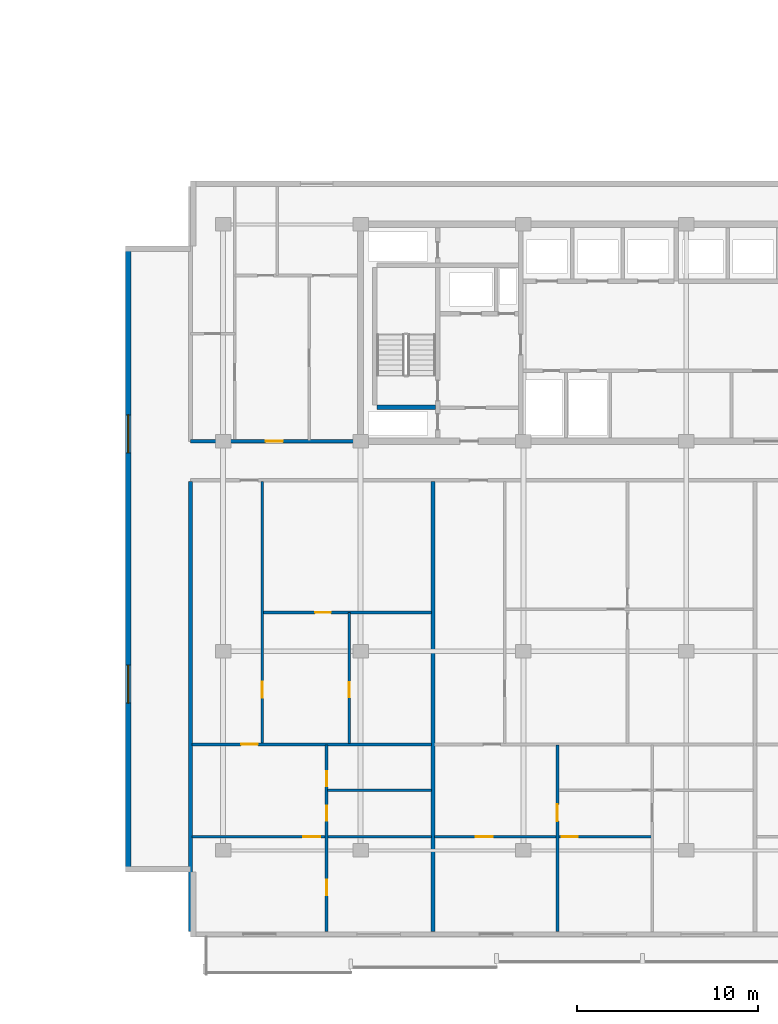
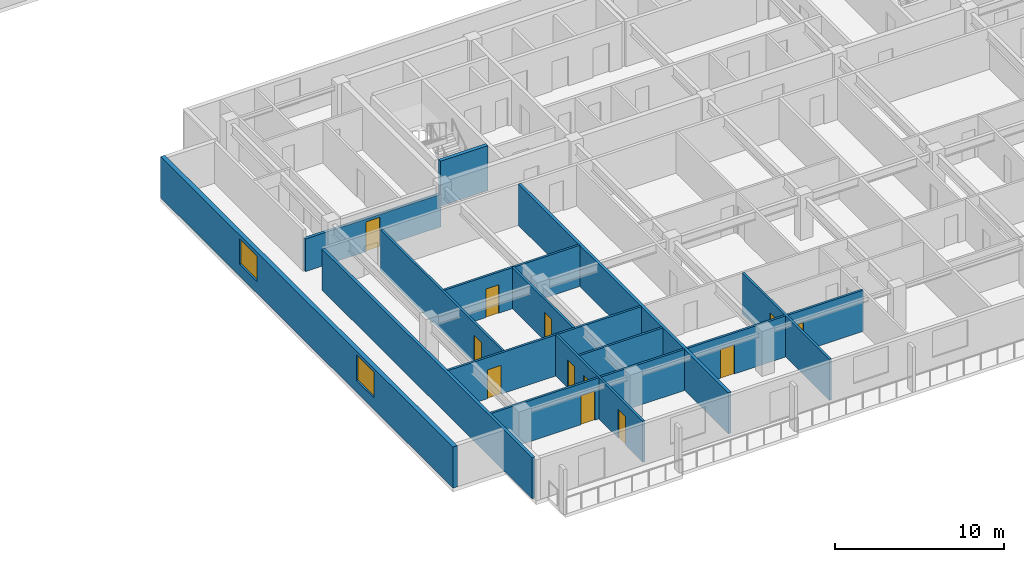
# One storey, part 4 of 22: 14 walls, 12 doors, 2 windows, 14 openings.
"""IFC4 building model written with IfcOpenShell, lengths in metres."""

from ifc_helpers import new_model, si_unit, direction, frame, frame_2d, origin, place, context, subcontext, project, spatial, rectangle, extrude, material, layer, layer_set, type_object, element, fill, save


model = new_model("IFC4")

# Units and contexts
model_context = context("Model", 3, precision=1e-05, world=origin(), true_north=direction((0.0, 1.0)))
body_context = subcontext(model_context, "Body", "Model", "MODEL_VIEW")
ifc_project = project(units=[si_unit("LENGTHUNIT", "METRE"), si_unit("AREAUNIT", "SQUARE_METRE"), si_unit("VOLUMEUNIT", "CUBIC_METRE"), si_unit("PLANEANGLEUNIT", "RADIAN"), si_unit("MASSUNIT", "GRAM", prefix="KILO")], contexts=[model_context])

# Site, building, storey
site_placement = place(None, origin())
site = spatial("IfcSite", under=ifc_project, at=site_placement, CompositionType="ELEMENT")
building_placement = place(site_placement, origin())
building = spatial("IfcBuilding", under=site, at=building_placement, Name="Korimba Cascade Residences", CompositionType="ELEMENT")
storey_placement = place(building_placement, frame((0.0, 0.0, 84.050048828125)))
storey = spatial("IfcBuildingStorey", under=building, at=storey_placement, Name="L23", CompositionType="ELEMENT", Elevation=84.050048828125)

# Wall, openings, windows
ifc_material_1 = material(Name="Precast concrete C40/50", Category="concrete")
ifc_layer_1 = layer(ifc_material_1, 0.300048828125)
ifc_layer_set_1 = layer_set([ifc_layer_1], Name="Precast concrete C40/50")
wall_type_1 = type_object("IfcWallType", Name="EW-STONE-300", PredefinedType="STANDARD", material=ifc_layer_set_1)
wall_1_placement = place(storey_placement, frame((69.25, 29.199951171875, 0.0), z_axis=(0.0, 0.0, 1.0), x_axis=(0.0, -1.0, 0.0)))
wall_1 = element("IfcWall", 1, at=wall_1_placement, inside=storey, type_object=wall_type_1, Name="L23 T2 Perimeter Stone Wall E09", PredefinedType="STANDARD", context=body_context, shape_type="SweptSolid", body=[
    extrude(rectangle(XDim=34.599853515625, YDim=0.300048828125, at=frame_2d((17.2998046875, 0.0))), origin(), (0.0, 0.0, 1.0), 2.969970703125),
])
opening_1_placement = place(wall_1_placement, frame((9.330078125, 0.0, 0.85009765625)))
opening_1 = element("IfcOpeningElement", 2, at=opening_1_placement, cuts=wall_1, Name="Opening W-03", PredefinedType="OPENING", context=body_context, shape_type="SweptSolid", body=[
    extrude(rectangle(XDim=2.10009765625, YDim=1.85009765625, at=frame_2d((1.050048828125, 0.925048828125))), frame((0.0, 0.16015625, 0.0), z_axis=(0.0, -1.0, 0.0), x_axis=(1.0, 0.0, 0.0)), (0.0, 0.0, 1.0), 0.320068359375),
])
opening_2_placement = place(wall_1_placement, frame((23.169921875, 0.0, 0.85009765625)))
opening_2 = element("IfcOpeningElement", 3, at=opening_2_placement, cuts=wall_1, Name="Opening W-03", PredefinedType="OPENING", context=body_context, shape_type="SweptSolid", body=[
    extrude(rectangle(XDim=2.10009765625, YDim=1.85009765625, at=frame_2d((1.050048828125, 0.925048828125))), frame((0.0, 0.16015625, 0.0), z_axis=(0.0, -1.0, 0.0), x_axis=(1.0, 0.0, 0.0)), (0.0, 0.0, 1.0), 0.320068359375),
])
ifc_material_2 = material(Name="Double-Glazed Aluminium Window", Category="aluminium")
window_type = type_object("IfcWindowType", Name="WIN-CRN-2100", PartitioningType="DOUBLE_PANEL_HORIZONTAL", PredefinedType="WINDOW", material=ifc_material_2)
window_1_placement = place(opening_1_placement, origin())
window_1 = element("IfcWindow", 4, at=window_1_placement, inside=storey, type_object=window_type, Name="L23 T2 End View Window 9.1", OverallHeight=1.85009765625, OverallWidth=2.10009765625, PartitioningType="DOUBLE_PANEL_HORIZONTAL", PredefinedType="WINDOW", context=body_context, shape_type="SweptSolid", body=[
    extrude(rectangle(XDim=2.10009765625, YDim=1.85009765625, at=frame_2d((1.050048828125, 0.925048828125))), frame((0.0, 0.030029296875, 0.0), z_axis=(0.0, -1.0, 0.0), x_axis=(1.0, 0.0, 0.0)), (0.0, 0.0, 1.0), 0.06005859375),
])
fill(opening_1, window_1)
window_2_placement = place(opening_2_placement, origin())
window_2 = element("IfcWindow", 5, at=window_2_placement, inside=storey, type_object=window_type, Name="L23 T2 End View Window 9.2", OverallHeight=1.85009765625, OverallWidth=2.10009765625, PartitioningType="DOUBLE_PANEL_HORIZONTAL", PredefinedType="WINDOW", context=body_context, shape_type="SweptSolid", body=[
    extrude(rectangle(XDim=2.10009765625, YDim=1.85009765625, at=frame_2d((1.050048828125, 0.925048828125))), frame((0.0, 0.030029296875, 0.0), z_axis=(0.0, -1.0, 0.0), x_axis=(1.0, 0.0, 0.0)), (0.0, 0.0, 1.0), 0.06005859375),
])
fill(opening_2, window_2)

# Wall, opening, door
ifc_layer_2 = layer(ifc_material_1, 0.199951171875)
ifc_layer_set_2 = layer_set([ifc_layer_2], Name="Precast concrete C40/50")
wall_type_2 = type_object("IfcWallType", Name="WAL-IT-200", PredefinedType="PARTITIONING", material=ifc_layer_set_2)
wall_2_placement = place(storey_placement, frame((72.699951171875, 18.39990234375, 0.0), z_axis=(0.0, 0.0, 1.0), x_axis=(1.0, 0.0, 0.0)))
wall_2 = element("IfcWall", 6, at=wall_2_placement, inside=storey, type_object=wall_type_2, Name="L23 Partition Wall WAL-L23-T2-FW-S", PredefinedType="PARTITIONING", context=body_context, shape_type="SweptSolid", body=[
    extrude(rectangle(XDim=9.25, YDim=0.199951171875, at=frame_2d((4.625, 0.0))), origin(), (0.0, 0.0, 1.0), 2.357666015625),
])
opening_3_placement = place(wall_2_placement, frame((4.14990234375, 0.0, 0.0)))
opening_3 = element("IfcOpeningElement", 7, at=opening_3_placement, cuts=wall_2, Name="Opening D-UN1", PredefinedType="OPENING", context=body_context, shape_type="SweptSolid", body=[
    extrude(rectangle(XDim=0.949951171875, YDim=2.14990234375, at=frame_2d((0.47509765625, 1.074951171875))), frame((0.0, 0.10986328125, 0.0), z_axis=(0.0, -1.0, 0.0), x_axis=(1.0, 0.0, 0.0)), (0.0, 0.0, 1.0), 0.219970703125),
])
ifc_material_3 = material(Name="Fire-Rated Hardwood Apartment Entrance Door", Category="wood")
door_type_1 = type_object("IfcDoorType", Name="DR-FD60-950", OperationType="NOTDEFINED", PredefinedType="DOOR", material=ifc_material_3)
door_1_placement = place(opening_3_placement, origin())
door_1 = element("IfcDoor", 8, at=door_1_placement, inside=storey, type_object=door_type_1, Name="L23-T2-FW Entrance Door", OperationType="SINGLE_SWING_LEFT", OverallHeight=2.14990234375, OverallWidth=0.949951171875, PredefinedType="DOOR", context=body_context, shape_type="SweptSolid", body=[
    extrude(rectangle(XDim=0.949951171875, YDim=2.14990234375, at=frame_2d((0.47509765625, 1.074951171875))), frame((0.0, 0.02490234375, 0.0), z_axis=(0.0, -1.0, 0.0), x_axis=(1.0, 0.0, 0.0)), (0.0, 0.0, 1.0), 0.050048828125),
])
fill(opening_3, door_1)

# Walls
for number, where, z_axis, x_axis, name in (
    (9, (72.699951171875, -8.699951171875, 0.0), (0.0, 0.0, 1.0), (0.0, 1.0, 0.0), "L23 Partition Wall WAL-L23-T2-BNDWL"),
    (10, (86.10009765625, -8.699951171875, 0.0), (0.0, 0.0, 1.0), (0.0, 1.0, 0.0), "L23 Partition Wall WAL-L23-T2-DEM-1"),
):
    element("IfcWall", number, at=place(storey_placement, frame(where, z_axis=z_axis, x_axis=x_axis)), inside=storey, type_object=wall_type_2, Name=name, PredefinedType="PARTITIONING", context=body_context, shape_type="SweptSolid", body=[
        extrude(rectangle(XDim=24.869873046875, YDim=0.199951171875, at=frame_2d((12.43505859375, 0.0))), origin(), (0.0, 0.0, 1.0), 2.969970703125),
    ])

# Wall, opening, door
ifc_material_4 = material(Name="Insulated Acoustic Stud Partition", Category="gypsum")
ifc_layer_3 = layer(ifc_material_4, 0.14990234375)
ifc_layer_set_3 = layer_set([ifc_layer_3], Name="Insulated Acoustic Stud Partition")
wall_type_3 = type_object("IfcWallType", Name="WAL-PART-150", PredefinedType="PARTITIONING", material=ifc_layer_set_3)
wall_3_placement = place(storey_placement, frame((81.47509765625, 1.68994140625, 0.0), z_axis=(0.0, 0.0, 1.0), x_axis=(0.0, 1.0, 0.0)))
wall_3 = element("IfcWall", 11, at=wall_3_placement, inside=storey, type_object=wall_type_3, Name="L23 Partition Wall WAL-L23-T2-U01-FMV", PredefinedType="PARTITIONING", context=body_context, shape_type="SweptSolid", body=[
    extrude(rectangle(XDim=7.25, YDim=0.14990234375, at=frame_2d((3.625, 0.0))), origin(), (0.0, 0.0, 1.0), 2.969970703125),
])
opening_4_placement = place(wall_3_placement, frame((2.557861328125, 0.0, 0.0)))
opening_4 = element("IfcOpeningElement", 12, at=opening_4_placement, cuts=wall_3, Name="Opening D-BT1", PredefinedType="OPENING", context=body_context, shape_type="SweptSolid", body=[
    extrude(rectangle(XDim=0.840087890625, YDim=2.0400390625, at=frame_2d((0.419921875, 1.02001953125))), frame((0.0, 0.0849609375, 0.0), z_axis=(0.0, -1.0, 0.0), x_axis=(1.0, 0.0, 0.0)), (0.0, 0.0, 1.0), 0.169921875),
])
ifc_material_5 = material(Name="Moisture-Resistant Bathroom Timber Door", Category="wood")
door_type_2 = type_object("IfcDoorType", Name="DR-INT-850", OperationType="NOTDEFINED", PredefinedType="DOOR", material=ifc_material_5)
door_2_placement = place(opening_4_placement, origin())
door_2 = element("IfcDoor", 13, at=door_2_placement, inside=storey, type_object=door_type_2, Name="L23-T2-U01 Wardrobe Door", OperationType="SINGLE_SWING_RIGHT", OverallHeight=2.0400390625, OverallWidth=0.840087890625, PredefinedType="DOOR", context=body_context, shape_type="SweptSolid", body=[
    extrude(rectangle(XDim=0.840087890625, YDim=2.0400390625, at=frame_2d((0.419921875, 1.02001953125))), frame((0.0, 0.02490234375, 0.0), z_axis=(0.0, -1.0, 0.0), x_axis=(1.0, 0.0, 0.0)), (0.0, 0.0, 1.0), 0.050048828125),
])
fill(opening_4, door_2)

wall_4_placement = place(storey_placement, frame((76.72998046875, 8.93994140625, 0.0), z_axis=(0.0, 0.0, 1.0), x_axis=(1.0, 0.0, 0.0)))
wall_4 = element("IfcWall", 14, at=wall_4_placement, inside=storey, type_object=wall_type_3, Name="L23 Partition Wall WAL-L23-T2-U01-FMH", PredefinedType="PARTITIONING", context=body_context, shape_type="SweptSolid", body=[
    extrude(rectangle(XDim=9.2900390625, YDim=0.14990234375, at=frame_2d((4.64501953125, 0.0))), origin(), (0.0, 0.0, 1.0), 2.969970703125),
])
opening_5_placement = place(wall_4_placement, frame((2.854248046875, 0.0, 0.0)))
opening_5 = element("IfcOpeningElement", 15, at=opening_5_placement, cuts=wall_4, Name="Opening D-IN2", PredefinedType="OPENING", context=body_context, shape_type="SweptSolid", body=[
    extrude(rectangle(XDim=0.8798828125, YDim=2.06005859375, at=frame_2d((0.43994140625, 1.030029296875))), frame((0.0, 0.0849609375, 0.0), z_axis=(0.0, -1.0, 0.0), x_axis=(1.0, 0.0, 0.0)), (0.0, 0.0, 1.0), 0.169921875),
])
ifc_material_6 = material(Name="Acoustic Timber Bedroom Door", Category="wood")
door_type_3 = type_object("IfcDoorType", Name="DR-INT-880", OperationType="NOTDEFINED", PredefinedType="DOOR", material=ifc_material_6)
door_3_placement = place(opening_5_placement, origin())
door_3 = element("IfcDoor", 16, at=door_3_placement, inside=storey, type_object=door_type_3, Name="L23-T2-U01 Library Salon Door", OperationType="SINGLE_SWING_LEFT", OverallHeight=2.06005859375, OverallWidth=0.8798828125, PredefinedType="DOOR", context=body_context, shape_type="SweptSolid", body=[
    extrude(rectangle(XDim=0.8798828125, YDim=2.06005859375, at=frame_2d((0.43994140625, 1.030029296875))), frame((0.0, 0.02490234375, 0.0), z_axis=(0.0, -1.0, 0.0), x_axis=(1.0, 0.0, 0.0)), (0.0, 0.0, 1.0), 0.050048828125),
])
fill(opening_5, door_3)

wall_5_placement = place(storey_placement, frame((76.669921875, 1.68994140625, 0.0), z_axis=(0.0, 0.0, 1.0), x_axis=(0.0, 1.0, 0.0)))
wall_5 = element("IfcWall", 17, at=wall_5_placement, inside=storey, type_object=wall_type_3, Name="L23 Partition Wall WAL-L23-T2-U01-FV", PredefinedType="PARTITIONING", context=body_context, shape_type="SweptSolid", body=[
    extrude(rectangle(XDim=14.5, YDim=0.14990234375, at=frame_2d((7.25, 0.0))), origin(), (0.0, 0.0, 1.0), 2.969970703125),
])
opening_6_placement = place(wall_5_placement, frame((2.54248046875, 0.0, 0.0)))
opening_6 = element("IfcOpeningElement", 18, at=opening_6_placement, cuts=wall_5, Name="Opening D-IN2", PredefinedType="OPENING", context=body_context, shape_type="SweptSolid", body=[
    extrude(rectangle(XDim=0.8798828125, YDim=2.06005859375, at=frame_2d((0.43994140625, 1.030029296875))), frame((0.0, 0.0849609375, 0.0), z_axis=(0.0, -1.0, 0.0), x_axis=(1.0, 0.0, 0.0)), (0.0, 0.0, 1.0), 0.169921875),
])
door_4_placement = place(opening_6_placement, origin())
door_4 = element("IfcDoor", 19, at=door_4_placement, inside=storey, type_object=door_type_3, Name="L23-T2-U01 Media Lounge Door", OperationType="SINGLE_SWING_RIGHT", OverallHeight=2.06005859375, OverallWidth=0.8798828125, PredefinedType="DOOR", context=body_context, shape_type="SweptSolid", body=[
    extrude(rectangle(XDim=0.8798828125, YDim=2.06005859375, at=frame_2d((0.43994140625, 1.030029296875))), frame((0.0, 0.02490234375, 0.0), z_axis=(0.0, -1.0, 0.0), x_axis=(1.0, 0.0, 0.0)), (0.0, 0.0, 1.0), 0.050048828125),
])
fill(opening_6, door_4)

# Wall
wall_6_placement = place(storey_placement, frame((80.280029296875, -0.889892578125, 0.0), z_axis=(0.0, 0.0, 1.0), x_axis=(1.0, 0.0, 0.0)))
element("IfcWall", 20, at=wall_6_placement, inside=storey, type_object=wall_type_3, Name="L23 Partition Wall WAL-L23-T2-U01-BLDIV", PredefinedType="PARTITIONING", context=body_context, shape_type="SweptSolid", body=[
    extrude(rectangle(XDim=5.739990234375, YDim=0.14990234375, at=frame_2d((2.8701171875, 0.0))), origin(), (0.0, 0.0, 1.0), 2.969970703125),
])

# Wall, openings, doors
wall_7_placement = place(storey_placement, frame((80.219970703125, -8.699951171875, 0.0), z_axis=(0.0, 0.0, 1.0), x_axis=(0.0, 1.0, 0.0)))
wall_7 = element("IfcWall", 21, at=wall_7_placement, inside=storey, type_object=wall_type_3, Name="L23 Partition Wall WAL-L23-T2-U01-V1", PredefinedType="PARTITIONING", context=body_context, shape_type="SweptSolid", body=[
    extrude(rectangle(XDim=10.31005859375, YDim=0.14990234375, at=frame_2d((5.155029296875, 0.0))), origin(), (0.0, 0.0, 1.0), 2.969970703125),
])
opening_7_placement = place(wall_7_placement, frame((6.120361328125, 0.0, 0.0)))
opening_7 = element("IfcOpeningElement", 22, at=opening_7_placement, cuts=wall_7, Name="Opening D-BT1", PredefinedType="OPENING", context=body_context, shape_type="SweptSolid", body=[
    extrude(rectangle(XDim=0.840087890625, YDim=2.0400390625, at=frame_2d((0.419921875, 1.02001953125))), frame((0.0, 0.0849609375, 0.0), z_axis=(0.0, -1.0, 0.0), x_axis=(1.0, 0.0, 0.0)), (0.0, 0.0, 1.0), 0.169921875),
])
opening_8_placement = place(wall_7_placement, frame((8.03955078125, 0.0, 0.0)))
opening_8 = element("IfcOpeningElement", 23, at=opening_8_placement, cuts=wall_7, Name="Opening D-BT1", PredefinedType="OPENING", context=body_context, shape_type="SweptSolid", body=[
    extrude(rectangle(XDim=0.840087890625, YDim=2.0400390625, at=frame_2d((0.419921875, 1.02001953125))), frame((0.0, 0.0849609375, 0.0), z_axis=(0.0, -1.0, 0.0), x_axis=(1.0, 0.0, 0.0)), (0.0, 0.0, 1.0), 0.169921875),
])
opening_9_placement = place(wall_7_placement, frame((2.001220703125, 0.0, 0.0)))
opening_9 = element("IfcOpeningElement", 24, at=opening_9_placement, cuts=wall_7, Name="Opening D-IN2", PredefinedType="OPENING", context=body_context, shape_type="SweptSolid", body=[
    extrude(rectangle(XDim=0.8798828125, YDim=2.06005859375, at=frame_2d((0.43994140625, 1.030029296875))), frame((0.0, 0.0849609375, 0.0), z_axis=(0.0, -1.0, 0.0), x_axis=(1.0, 0.0, 0.0)), (0.0, 0.0, 1.0), 0.169921875),
])
door_5_placement = place(opening_7_placement, origin())
door_5 = element("IfcDoor", 25, at=door_5_placement, inside=storey, type_object=door_type_2, Name="L23-T2-U01 Bathroom Door", OperationType="SINGLE_SWING_LEFT", OverallHeight=2.0400390625, OverallWidth=0.840087890625, PredefinedType="DOOR", context=body_context, shape_type="SweptSolid", body=[
    extrude(rectangle(XDim=0.840087890625, YDim=2.0400390625, at=frame_2d((0.419921875, 1.02001953125))), frame((0.0, 0.02490234375, 0.0), z_axis=(0.0, -1.0, 0.0), x_axis=(1.0, 0.0, 0.0)), (0.0, 0.0, 1.0), 0.050048828125),
])
fill(opening_7, door_5)
door_6_placement = place(opening_8_placement, origin())
door_6 = element("IfcDoor", 26, at=door_6_placement, inside=storey, type_object=door_type_2, Name="L23-T2-U01 Laundry Door", OperationType="SINGLE_SWING_RIGHT", OverallHeight=2.0400390625, OverallWidth=0.840087890625, PredefinedType="DOOR", context=body_context, shape_type="SweptSolid", body=[
    extrude(rectangle(XDim=0.840087890625, YDim=2.0400390625, at=frame_2d((0.419921875, 1.02001953125))), frame((0.0, 0.02490234375, 0.0), z_axis=(0.0, -1.0, 0.0), x_axis=(1.0, 0.0, 0.0)), (0.0, 0.0, 1.0), 0.050048828125),
])
fill(opening_8, door_6)
door_7_placement = place(opening_9_placement, origin())
door_7 = element("IfcDoor", 27, at=door_7_placement, inside=storey, type_object=door_type_3, Name="L23-T2-U01 Bedroom 1 Door", OperationType="SINGLE_SWING_LEFT", OverallHeight=2.06005859375, OverallWidth=0.8798828125, PredefinedType="DOOR", context=body_context, shape_type="SweptSolid", body=[
    extrude(rectangle(XDim=0.8798828125, YDim=2.06005859375, at=frame_2d((0.43994140625, 1.030029296875))), frame((0.0, 0.02490234375, 0.0), z_axis=(0.0, -1.0, 0.0), x_axis=(1.0, 0.0, 0.0)), (0.0, 0.0, 1.0), 0.050048828125),
])
fill(opening_9, door_7)

# Wall, opening, door
wall_8_placement = place(storey_placement, frame((72.780029296875, 1.64990234375, 0.0), z_axis=(0.0, 0.0, 1.0), x_axis=(1.0, 0.0, 0.0)))
wall_8 = element("IfcWall", 28, at=wall_8_placement, inside=storey, type_object=wall_type_3, Name="L23 Partition Wall WAL-L23-T2-U01-MW", PredefinedType="PARTITIONING", context=body_context, shape_type="SweptSolid", body=[
    extrude(rectangle(XDim=13.239990234375, YDim=0.14990234375, at=frame_2d((6.6201171875, 0.0))), origin(), (0.0, 0.0, 1.0), 2.969970703125),
])
opening_10_placement = place(wall_8_placement, frame((2.719970703125, 0.0, 0.0)))
opening_10 = element("IfcOpeningElement", 29, at=opening_10_placement, cuts=wall_8, Name="Opening D-IN1", PredefinedType="OPENING", context=body_context, shape_type="SweptSolid", body=[
    extrude(rectangle(XDim=0.919921875, YDim=2.080078125, at=frame_2d((0.4599609375, 1.0400390625))), frame((0.0, 0.0849609375, 0.0), z_axis=(0.0, -1.0, 0.0), x_axis=(1.0, 0.0, 0.0)), (0.0, 0.0, 1.0), 0.169921875),
])
ifc_material_7 = material(Name="Acoustic Timber Living Door", Category="wood")
door_type_4 = type_object("IfcDoorType", Name="DR-INT-920", OperationType="NOTDEFINED", PredefinedType="DOOR", material=ifc_material_7)
door_8_placement = place(opening_10_placement, origin())
door_8 = element("IfcDoor", 30, at=door_8_placement, inside=storey, type_object=door_type_4, Name="L23-T2-U01 Kitchen Archway Door", OperationType="SINGLE_SWING_RIGHT", OverallHeight=2.080078125, OverallWidth=0.919921875, PredefinedType="DOOR", context=body_context, shape_type="SweptSolid", body=[
    extrude(rectangle(XDim=0.919921875, YDim=2.080078125, at=frame_2d((0.4599609375, 1.0400390625))), frame((0.0, 0.02490234375, 0.0), z_axis=(0.0, -1.0, 0.0), x_axis=(1.0, 0.0, 0.0)), (0.0, 0.0, 1.0), 0.050048828125),
])
fill(opening_10, door_8)

wall_9_placement = place(storey_placement, frame((72.780029296875, -3.449951171875, 0.0), z_axis=(0.0, 0.0, 1.0), x_axis=(1.0, 0.0, 0.0)))
wall_9 = element("IfcWall", 31, at=wall_9_placement, inside=storey, type_object=wall_type_3, Name="L23 Partition Wall WAL-L23-T2-U01-HZ", PredefinedType="PARTITIONING", context=body_context, shape_type="SweptSolid", body=[
    extrude(rectangle(XDim=13.239990234375, YDim=0.14990234375, at=frame_2d((6.6201171875, 0.0))), origin(), (0.0, 0.0, 1.0), 2.969970703125),
])
opening_11_placement = place(wall_9_placement, frame((6.14990234375, 0.0, 0.0)))
opening_11 = element("IfcOpeningElement", 32, at=opening_11_placement, cuts=wall_9, Name="Opening D-IN0", PredefinedType="OPENING", context=body_context, shape_type="SweptSolid", body=[
    extrude(rectangle(XDim=0.93994140625, YDim=2.10009765625, at=frame_2d((0.469970703125, 1.050048828125))), frame((0.0, 0.0849609375, 0.0), z_axis=(0.0, -1.0, 0.0), x_axis=(1.0, 0.0, 0.0)), (0.0, 0.0, 1.0), 0.169921875),
])
ifc_material_8 = material(Name="Acoustic Timber Living Archway Door", Category="wood")
door_type_5 = type_object("IfcDoorType", Name="DR-INT-950", OperationType="NOTDEFINED", PredefinedType="DOOR", material=ifc_material_8)
door_9_placement = place(opening_11_placement, origin())
door_9 = element("IfcDoor", 33, at=door_9_placement, inside=storey, type_object=door_type_5, Name="L23-T2-U01 Living Archway Door", OperationType="SINGLE_SWING_LEFT", OverallHeight=2.10009765625, OverallWidth=0.93994140625, PredefinedType="DOOR", context=body_context, shape_type="SweptSolid", body=[
    extrude(rectangle(XDim=0.93994140625, YDim=2.10009765625, at=frame_2d((0.469970703125, 1.050048828125))), frame((0.0, 0.02490234375, 0.0), z_axis=(0.0, -1.0, 0.0), x_axis=(1.0, 0.0, 0.0)), (0.0, 0.0, 1.0), 0.050048828125),
])
fill(opening_11, door_9)

wall_10_placement = place(storey_placement, frame((92.97998046875, -8.699951171875, 0.0), z_axis=(0.0, 0.0, 1.0), x_axis=(0.0, 1.0, 0.0)))
wall_10 = element("IfcWall", 34, at=wall_10_placement, inside=storey, type_object=wall_type_3, Name="L23 Partition Wall WAL-L23-T2-U02-V1", PredefinedType="PARTITIONING", context=body_context, shape_type="SweptSolid", body=[
    extrude(rectangle(XDim=10.31005859375, YDim=0.14990234375, at=frame_2d((5.155029296875, 0.0))), origin(), (0.0, 0.0, 1.0), 2.969970703125),
])
opening_12_placement = place(wall_10_placement, frame((6.115966796875, 0.0, 0.0)))
opening_12 = element("IfcOpeningElement", 35, at=opening_12_placement, cuts=wall_10, Name="Opening D-IN1", PredefinedType="OPENING", context=body_context, shape_type="SweptSolid", body=[
    extrude(rectangle(XDim=0.919921875, YDim=2.080078125, at=frame_2d((0.4599609375, 1.0400390625))), frame((0.0, 0.0849609375, 0.0), z_axis=(0.0, -1.0, 0.0), x_axis=(1.0, 0.0, 0.0)), (0.0, 0.0, 1.0), 0.169921875),
])
door_10_placement = place(opening_12_placement, origin())
door_10 = element("IfcDoor", 36, at=door_10_placement, inside=storey, type_object=door_type_4, Name="L23-T2-U02 Hallway Door", OperationType="SINGLE_SWING_RIGHT", OverallHeight=2.080078125, OverallWidth=0.919921875, PredefinedType="DOOR", context=body_context, shape_type="SweptSolid", body=[
    extrude(rectangle(XDim=0.919921875, YDim=2.080078125, at=frame_2d((0.4599609375, 1.0400390625))), frame((0.0, 0.02490234375, 0.0), z_axis=(0.0, -1.0, 0.0), x_axis=(1.0, 0.0, 0.0)), (0.0, 0.0, 1.0), 0.050048828125),
])
fill(opening_12, door_10)

# Wall, openings, doors
wall_11_placement = place(storey_placement, frame((86.179931640625, -3.449951171875, 0.0), z_axis=(0.0, 0.0, 1.0), x_axis=(1.0, 0.0, 0.0)))
wall_11 = element("IfcWall", 37, at=wall_11_placement, inside=storey, type_object=wall_type_3, Name="L23 Partition Wall WAL-L23-T2-U02-HZ", PredefinedType="PARTITIONING", context=body_context, shape_type="SweptSolid", body=[
    extrude(rectangle(XDim=12.0400390625, YDim=0.14990234375, at=frame_2d((6.02001953125, 0.0))), origin(), (0.0, 0.0, 1.0), 2.969970703125),
])
opening_13_placement = place(wall_11_placement, frame((2.286865234375, 0.0, 0.0)))
opening_13 = element("IfcOpeningElement", 38, at=opening_13_placement, cuts=wall_11, Name="Opening D-IN0", PredefinedType="OPENING", context=body_context, shape_type="SweptSolid", body=[
    extrude(rectangle(XDim=0.93994140625, YDim=2.10009765625, at=frame_2d((0.469970703125, 1.050048828125))), frame((0.0, 0.0849609375, 0.0), z_axis=(0.0, -1.0, 0.0), x_axis=(1.0, 0.0, 0.0)), (0.0, 0.0, 1.0), 0.169921875),
])
opening_14_placement = place(wall_11_placement, frame((7.050048828125, 0.0, 0.0)))
opening_14 = element("IfcOpeningElement", 39, at=opening_14_placement, cuts=wall_11, Name="Opening D-IN2", PredefinedType="OPENING", context=body_context, shape_type="SweptSolid", body=[
    extrude(rectangle(XDim=0.8798828125, YDim=2.06005859375, at=frame_2d((0.43994140625, 1.030029296875))), frame((0.0, 0.0849609375, 0.0), z_axis=(0.0, -1.0, 0.0), x_axis=(1.0, 0.0, 0.0)), (0.0, 0.0, 1.0), 0.169921875),
])
door_11_placement = place(opening_14_placement, origin())
door_11 = element("IfcDoor", 40, at=door_11_placement, inside=storey, type_object=door_type_3, Name="L23-T2-U02 Bedroom 2 Door", OperationType="SINGLE_SWING_RIGHT", OverallHeight=2.06005859375, OverallWidth=0.8798828125, PredefinedType="DOOR", context=body_context, shape_type="SweptSolid", body=[
    extrude(rectangle(XDim=0.8798828125, YDim=2.06005859375, at=frame_2d((0.43994140625, 1.030029296875))), frame((0.0, 0.02490234375, 0.0), z_axis=(0.0, -1.0, 0.0), x_axis=(1.0, 0.0, 0.0)), (0.0, 0.0, 1.0), 0.050048828125),
])
fill(opening_14, door_11)
door_12_placement = place(opening_13_placement, origin())
door_12 = element("IfcDoor", 41, at=door_12_placement, inside=storey, type_object=door_type_5, Name="L23-T2-U02 Living Room Door", OperationType="SINGLE_SWING_LEFT", OverallHeight=2.10009765625, OverallWidth=0.93994140625, PredefinedType="DOOR", context=body_context, shape_type="SweptSolid", body=[
    extrude(rectangle(XDim=0.93994140625, YDim=2.10009765625, at=frame_2d((0.469970703125, 1.050048828125))), frame((0.0, 0.02490234375, 0.0), z_axis=(0.0, -1.0, 0.0), x_axis=(1.0, 0.0, 0.0)), (0.0, 0.0, 1.0), 0.050048828125),
])
fill(opening_13, door_12)

# Wall
ifc_material_9 = material(Name="Concrete C50/60", Category="concrete")
ifc_layer_4 = layer(ifc_material_9, 0.25)
ifc_layer_set_4 = layer_set([ifc_layer_4], Name="Concrete C50/60")
wall_type_4 = type_object("IfcWallType", Name="WAL-SHAFT-250", PredefinedType="SHEAR", material=ifc_layer_set_4)
wall_12_placement = place(storey_placement, frame((83.0, 20.27490234375, 0.0), z_axis=(0.0, 0.0, 1.0), x_axis=(1.0, 0.0, 0.0)))
element("IfcWall", 42, at=wall_12_placement, inside=storey, type_object=wall_type_4, Name="L23 Core Shear Wall CW-L23-T2-STE1S", PredefinedType="SHEAR", context=body_context, shape_type="SweptSolid", body=[
    extrude(rectangle(XDim=3.239990234375, YDim=0.25, at=frame_2d((1.6201171875, 0.0))), origin(), (0.0, 0.0, 1.0), 3.25),
])

save(model, "model.ifc")
